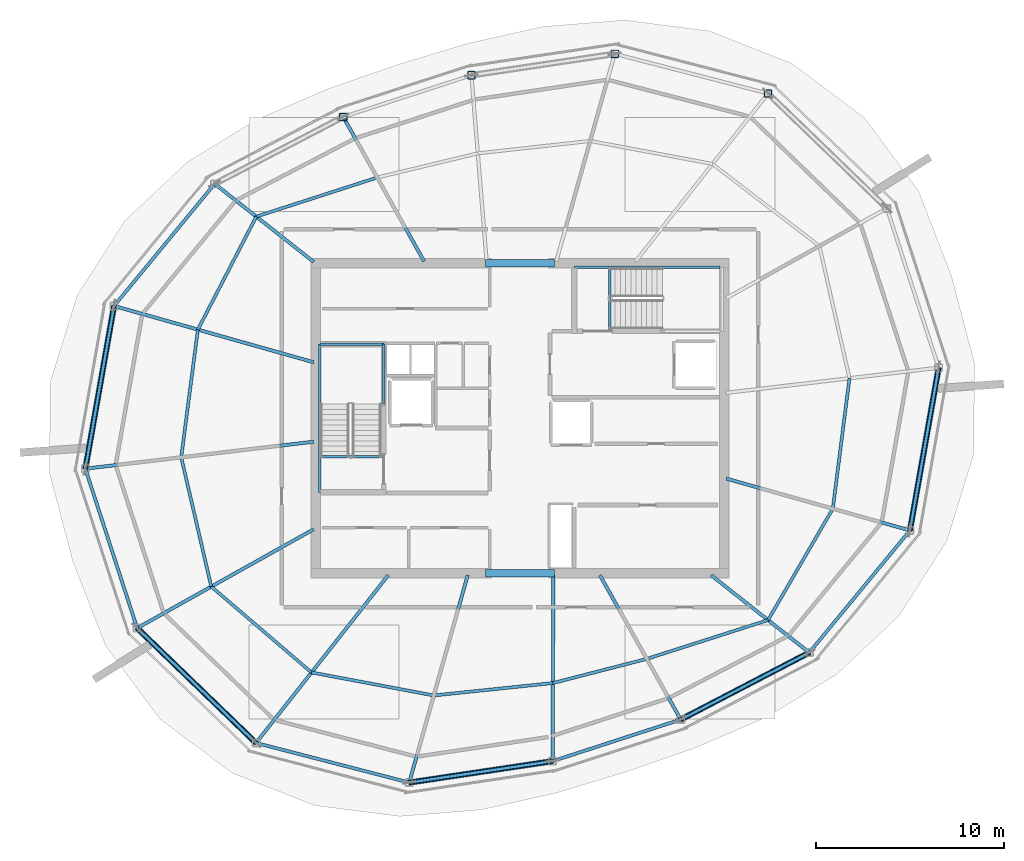
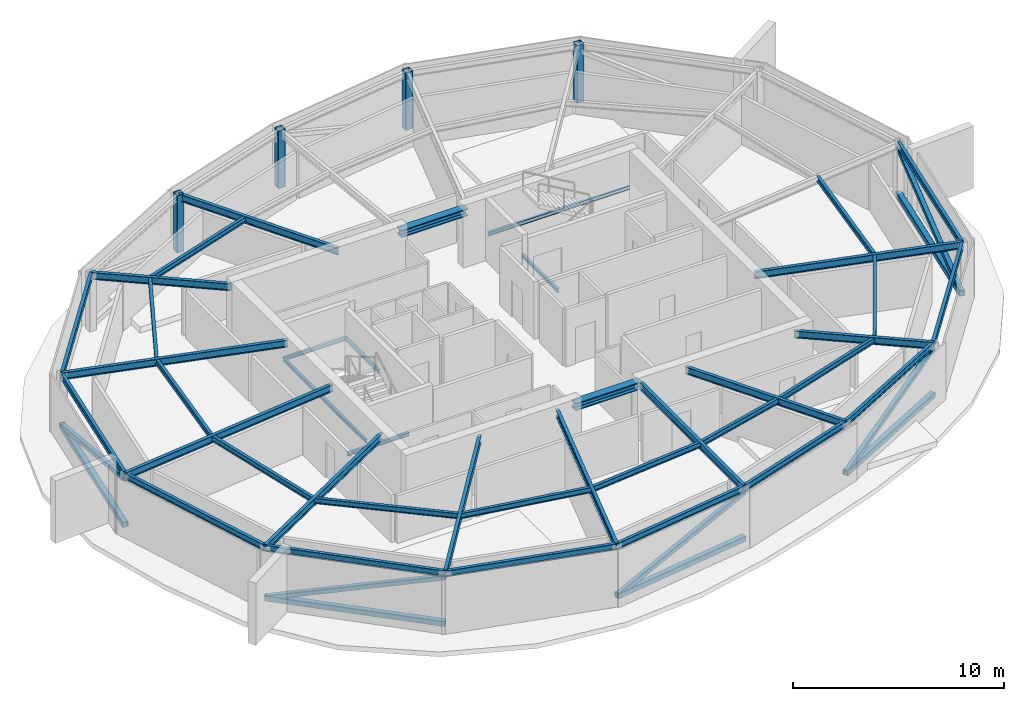
# One storey, part 4 of 10: 40 beams, 10 members, 4 columns.
"""IFC4 building model written with IfcOpenShell, lengths in metres."""

import ifcopenshell
import ifcopenshell.guid

model = None  # the IFC model being written
_history = None  # IfcOwnerHistory: only IFC2X3 demands one
_inside = {}  # id of a spatial element -> (the spatial element, [elements in it])
_under = {}  # id of a project, library or spatial element -> (it, [spatial elements below it])
_declared = {}  # id of a project -> (the project, [libraries it declares])
_typed = {}  # id of a type object -> (the type object, [elements of that type])
_made_of = {}  # id of a material, layer set ... -> (it, [elements and type objects made of it])


def new_model(schema):
    """Start an empty IFC model of exactly this schema.

    Asked for "IFC4X3", IfcOpenShell would pick the latest addendum, in which some entities
    have other attributes; the version numbers below select the first issue.
    IFC2X3 requires an IfcOwnerHistory on every rooted entity: one is made here for all.
    """
    global model, _history
    if schema == "IFC4X3":
        model = ifcopenshell.file(schema_version=(4, 3, 0, 0))
    else:
        model = ifcopenshell.file(schema=schema)
    _inside.clear()
    _under.clear()
    _declared.clear()
    _typed.clear()
    _made_of.clear()
    _history = None
    if model.schema == "IFC2X3":
        org = make("IfcOrganization", Name="unknown")
        user = make(
            "IfcPersonAndOrganization",
            ThePerson=make("IfcPerson", FamilyName="unknown"),
            TheOrganization=org,
        )
        app = make(
            "IfcApplication",
            ApplicationDeveloper=org,
            Version="unknown",
            ApplicationFullName="unknown",
            ApplicationIdentifier="unknown",
        )
        _history = make(
            "IfcOwnerHistory",
            OwningUser=user,
            OwningApplication=app,
            ChangeAction="ADDED",
            CreationDate=0,
        )
    return model


def make(cls, **values):
    """One entity of the class cls with the attributes given. An attribute that is None is left unset."""
    return model.create_entity(
        cls, **{name: value for name, value in values.items() if value is not None}
    )


def rooted(cls, **values):
    """An entity with a GlobalId (a new one), such as an element, a storey or a relation."""
    return make(cls, GlobalId=ifcopenshell.guid.new(), OwnerHistory=_history, **values)


def si_unit(unit_type, name, prefix=None):
    """IfcSIUnit, for example si_unit("LENGTHUNIT", "METRE", prefix="MILLI")."""
    return make("IfcSIUnit", UnitType=unit_type, Prefix=prefix, Name=name)


def assignment(units):
    """IfcUnitAssignment: the units of a project."""
    return None if units is None else make("IfcUnitAssignment", Units=units)


def point(xyz):
    """IfcCartesianPoint."""
    return None if xyz is None else make("IfcCartesianPoint", Coordinates=xyz)


def direction(xyz):
    """IfcDirection."""
    return None if xyz is None else make("IfcDirection", DirectionRatios=xyz)


def frame(location, z_axis=None, x_axis=None):
    """IfcAxis2Placement3D, a coordinate frame: its origin and axes. An axis left out is left unset."""
    return make(
        "IfcAxis2Placement3D",
        Location=point(location),
        Axis=direction(z_axis),
        RefDirection=direction(x_axis),
    )


def frame_2d(location, x_axis=None):
    """IfcAxis2Placement2D, a coordinate frame in the plane: its origin and x axis."""
    return make(
        "IfcAxis2Placement2D", Location=point(location), RefDirection=direction(x_axis)
    )


def origin():
    """The frame at (0, 0, 0) with its axes left unset."""
    return frame((0.0, 0.0, 0.0))


def origin_2d():
    """The frame at (0, 0) in the plane with its x axis left unset."""
    return frame_2d((0.0, 0.0))


def place(relative_to, where):
    """IfcLocalPlacement: puts the frame where relative to a parent placement (None: the world)."""
    return make(
        "IfcLocalPlacement", PlacementRelTo=relative_to, RelativePlacement=where
    )


def context(
    kind, dimensions, precision=None, world=None, true_north=None, identifier=None
):
    """IfcGeometricRepresentationContext, for example the 3D "Model" context."""
    return make(
        "IfcGeometricRepresentationContext",
        ContextIdentifier=identifier,
        ContextType=kind,
        CoordinateSpaceDimension=dimensions,
        Precision=precision,
        WorldCoordinateSystem=world,
        TrueNorth=true_north,
    )


def subcontext(parent, identifier, kind, view, scale=None):
    """IfcGeometricRepresentationSubContext, for example "Body" below "Model"."""
    return make(
        "IfcGeometricRepresentationSubContext",
        ContextIdentifier=identifier,
        ContextType=kind,
        ParentContext=parent,
        TargetScale=scale,
        TargetView=view,
    )


def project(units=None, contexts=None):
    """IfcProject with its units and contexts."""
    return rooted(
        "IfcProject",
        Name="project",
        RepresentationContexts=contexts,
        UnitsInContext=assignment(units),
    )


def spatial(cls, under=None, at=None, **own):
    """A site, building, storey or space (cls), placed at a placement, below another one or the project."""
    s = rooted(cls, ObjectPlacement=at, **own)
    if under is not None:
        _under.setdefault(under.id(), (under, []))[1].append(s)
    return s


def profile(cls, at=None, kind="AREA", **sizes):
    """A parametric profile (cls). Its sizes go by their IFC names, for example OverallWidth=200.0."""
    return make(cls, ProfileType=kind, Position=at, **sizes)


def hollow_rectangle(**sizes):
    """IfcRectangleHollowProfileDef."""
    return profile("IfcRectangleHollowProfileDef", **sizes)


def i_section(**sizes):
    """IfcIShapeProfileDef."""
    return profile("IfcIShapeProfileDef", **sizes)


def extrude(swept, where, along, depth):
    """IfcExtrudedAreaSolid: the profile swept, set in the frame where, extruded along a direction by depth."""
    return make(
        "IfcExtrudedAreaSolid",
        SweptArea=swept,
        Position=where,
        ExtrudedDirection=direction(along),
        Depth=depth,
    )


def shape(context_of_items, identifier, shape_type, items):
    """IfcShapeRepresentation: the items that make up one representation, for example the "Body"."""
    return make(
        "IfcShapeRepresentation",
        ContextOfItems=context_of_items,
        RepresentationIdentifier=identifier,
        RepresentationType=shape_type,
        Items=items,
    )


def material(Name=None, Category=None):
    """IfcMaterial."""
    return make("IfcMaterial", Name=Name, Category=Category)


def material_profile(
    of_material, cross_section, Name=None, Category=None, Priority=None
):
    """IfcMaterialProfile: a cross section and its material."""
    return make(
        "IfcMaterialProfile",
        Name=Name,
        Material=of_material,
        Profile=cross_section,
        Priority=Priority,
        Category=Category,
    )


def profile_set(profiles, Name=None, composite=None):
    """IfcMaterialProfileSet."""
    return make(
        "IfcMaterialProfileSet",
        Name=Name,
        MaterialProfiles=profiles,
        CompositeProfile=composite,
    )


def made_of(thing, what):
    """Note that an element or type object is made of a material, layer set ...; save() writes the relation."""
    if what is not None:
        _made_of.setdefault(what.id(), (what, []))[1].append(thing)
    return thing


def type_object(cls, material=None, **own):
    """A type object (cls), such as IfcWallType, which elements share."""
    return made_of(rooted(cls, **own), material)


def element(
    cls,
    number,
    at=None,
    inside=None,
    cuts=None,
    type_object=None,
    material=None,
    context=None,
    identifier="Body",
    shape_type=None,
    held_by="IfcProductDefinitionShape",
    body=None,
    shapes=None,
    **own,
):
    """One element of the class cls, such as IfcWall. Its Tag is "e" and its number.

    at: its placement. inside: the storey or other place that contains it. cuts: it is an
    opening in that element (IfcRelVoidsElement). A single representation is given by context,
    identifier, shape_type and body (its items); several are given by shapes. held_by: the class
    of the entity that holds the representations. save() writes the other relations.
    """
    e = rooted(cls, Tag="e%d" % number, ObjectPlacement=at, **own)
    if body is not None:
        shapes = [shape(context, identifier, shape_type, body)]
    if shapes is not None:
        e.Representation = make(held_by, Representations=shapes)
    if inside is not None:
        _inside.setdefault(inside.id(), (inside, []))[1].append(e)
    if cuts is not None:
        rooted(
            "IfcRelVoidsElement", RelatingBuildingElement=cuts, RelatedOpeningElement=e
        )
    if type_object is not None:
        _typed.setdefault(type_object.id(), (type_object, []))[1].append(e)
    return made_of(e, material)


def aggregate(whole, parts):
    """IfcRelAggregates: a whole, such as a stair, and the parts it consists of."""
    return rooted("IfcRelAggregates", RelatingObject=whole, RelatedObjects=parts)


def save(model, path):
    """Write the relations noted so far, then the file.

    IfcRelAggregates (storeys below a building ...), IfcRelContainedInSpatialStructure (elements
    in a storey), IfcRelDefinesByType, IfcRelAssociatesMaterial and IfcRelDeclares: one each for
    every whole, place, type object, material and project.
    """
    for whole, parts in _under.values():
        aggregate(whole, parts)
    for where, things in _inside.values():
        rooted(
            "IfcRelContainedInSpatialStructure",
            RelatedElements=things,
            RelatingStructure=where,
        )
    for kind, things in _typed.values():
        rooted("IfcRelDefinesByType", RelatedObjects=things, RelatingType=kind)
    for what, things in _made_of.values():
        rooted("IfcRelAssociatesMaterial", RelatedObjects=things, RelatingMaterial=what)
    for by, libraries in _declared.values():
        rooted("IfcRelDeclares", RelatingContext=by, RelatedDefinitions=libraries)
    model.write(path)


model = new_model("IFC4")

# Units and contexts
model_context = context("Model", 3, precision=1e-05, world=origin(), true_north=direction((0.0, 1.0)))
body_context = subcontext(model_context, "Body", "Model", "MODEL_VIEW")
ifc_project = project(units=[si_unit("LENGTHUNIT", "METRE"), si_unit("AREAUNIT", "SQUARE_METRE"), si_unit("VOLUMEUNIT", "CUBIC_METRE"), si_unit("PLANEANGLEUNIT", "RADIAN"), si_unit("MASSUNIT", "GRAM", prefix="KILO")], contexts=[model_context])

# Site, building, storey
site_placement = place(None, origin())
site = spatial("IfcSite", under=ifc_project, at=site_placement, CompositionType="ELEMENT")
building_placement = place(site_placement, origin())
building = spatial("IfcBuilding", under=site, at=building_placement, Name="Kazma Halo Residences", CompositionType="ELEMENT")
storey_placement = place(building_placement, frame((0.0, 0.0, 370.39990234375)))
storey = spatial("IfcBuildingStorey", under=building, at=storey_placement, Name="L93", CompositionType="ELEMENT", Elevation=370.39990234375)

# Columns
ifc_material = material(Name="Steel S355", Category="steel")
ifc_material_profile_1 = material_profile(ifc_material, hollow_rectangle(XDim=0.39990234375, YDim=0.39990234375, WallThickness=0.02001953125, InnerFilletRadius=0.02001953125, OuterFilletRadius=0.0400390625, at=origin_2d()), Name="SHS400x400x20")
ifc_profile_set_1 = profile_set([ifc_material_profile_1], Name="Steel S355")
column_type = type_object("IfcColumnType", Name="COL-CROWN-SHS400", PredefinedType="COLUMN", material=ifc_profile_set_1)
for number, where, z_axis, x_axis, name in (
    (1, (61.617431640625, 59.273681640625, 0.0), (0.0, 0.0, 1.0), (1.0, 0.0, 0.0), "L93 CROWN FRAME perimeter column P02"),
    (2, (53.46630859375, 61.38232421875, 0.0), (0.0, 0.0, 1.0), (1.0, 0.0, 0.0), "L93 CROWN FRAME perimeter column P03"),
    (3, (45.8408203125, 60.24365234375, 0.0), (0.0, 0.0, 1.0), (1.0, 0.0, 0.0), "L93 CROWN FRAME perimeter column P04"),
    (4, (39.0234375, 58.02880859375, 0.0), (0.0, 0.0, 1.0), (1.0, 0.0, 0.0), "L93 CROWN FRAME perimeter column P05"),
):
    element("IfcColumn", number, at=place(storey_placement, frame(where, z_axis=z_axis, x_axis=x_axis)), inside=storey, type_object=column_type, Name=name, PredefinedType="COLUMN", context=body_context, shape_type="SweptSolid", body=[
        extrude(hollow_rectangle(XDim=0.39990234375, YDim=0.39990234375, WallThickness=0.02001953125, InnerFilletRadius=0.02001953125, OuterFilletRadius=0.0400390625, at=origin_2d()), origin(), (0.0, 0.0, 1.0), 3.320068359375),
    ])

# Beams
ifc_material_profile_2 = material_profile(ifc_material, i_section(OverallWidth=0.408935546875, OverallDepth=0.425048828125, WebThickness=0.03271484375, FlangeThickness=0.052490234375, FilletRadius=0.02001953125, at=origin_2d()), Name="W360x421")
ifc_profile_set_2 = profile_set([ifc_material_profile_2], Name="Steel S355")
beam_type_1 = type_object("IfcBeamType", Name="BM-CORE-W360H", PredefinedType="BEAM", material=ifc_profile_set_2)
for number, where, z_axis, x_axis, name in (
    (5, (46.60009765625, 33.75, 3.107666015625), (1.0, 0.0, 0.0), (0.0, 1.0, 0.0), "L93 core coupling beam S"),
    (6, (46.60009765625, 50.25, 3.107666015625), (1.0, 0.0, 0.0), (0.0, 1.0, 0.0), "L93 core coupling beam N"),
):
    element("IfcBeam", number, at=place(storey_placement, frame(where, z_axis=z_axis, x_axis=x_axis)), inside=storey, type_object=beam_type_1, Name=name, PredefinedType="BEAM", context=body_context, shape_type="SweptSolid", body=[
        extrude(i_section(OverallWidth=0.408935546875, OverallDepth=0.425048828125, WebThickness=0.03271484375, FlangeThickness=0.052490234375, FilletRadius=0.02001953125, at=origin_2d()), origin(), (0.0, 0.0, 1.0), 3.64990234375),
    ])
ifc_material_profile_3 = material_profile(ifc_material, i_section(OverallWidth=0.177978515625, OverallDepth=0.406982421875, WebThickness=0.0078125, FlangeThickness=0.0126953125, FilletRadius=0.013916015625, at=origin_2d()), Name="W410x60")
ifc_profile_set_3 = profile_set([ifc_material_profile_3], Name="Steel S355")
beam_type_2 = type_object("IfcBeamType", Name="BM-RAD-W410", PredefinedType="BEAM", material=ifc_profile_set_3)
beam_1_placement = place(storey_placement, frame((43.32373046875, 50.35009765625, 3.11669921875), z_axis=(-0.488621952621, 0.872495608824, 0.0), x_axis=(-0.872495608824, -0.488621952621, 0.0)))
element("IfcBeam", 7, at=beam_1_placement, inside=storey, type_object=beam_type_2, Name="L93 radial floor beam 05", PredefinedType="BEAM", context=body_context, shape_type="SweptSolid", body=[
    extrude(i_section(OverallWidth=0.177978515625, OverallDepth=0.406982421875, WebThickness=0.0078125, FlangeThickness=0.0126953125, FilletRadius=0.013916015625, at=origin_2d()), origin(), (0.0, 0.0, 1.0), 8.80078125),
])
beam_2_placement = place(storey_placement, frame((37.449951171875, 50.31689453125, 3.11669921875), z_axis=(-0.785321596803, 0.619088030569, 0.0), x_axis=(-0.619088030569, -0.785321596803, 0.0)))
element("IfcBeam", 8, at=beam_2_placement, inside=storey, type_object=beam_type_2, Name="L93 radial floor beam 06", PredefinedType="BEAM", context=body_context, shape_type="SweptSolid", body=[
    extrude(i_section(OverallWidth=0.177978515625, OverallDepth=0.406982421875, WebThickness=0.0078125, FlangeThickness=0.0126953125, FilletRadius=0.013916015625, at=origin_2d()), origin(), (0.0, 0.0, 1.0), 6.704345703125),
])
beam_3_placement = place(storey_placement, frame((37.449951171875, 44.975341796875, 3.11669921875), z_axis=(-0.962455160106, 0.271440720572, 0.0), x_axis=(-0.271440720572, -0.962455160106, 0.0)))
element("IfcBeam", 9, at=beam_3_placement, inside=storey, type_object=beam_type_2, Name="L93 radial floor beam 07", PredefinedType="BEAM", context=body_context, shape_type="SweptSolid", body=[
    extrude(i_section(OverallWidth=0.177978515625, OverallDepth=0.406982421875, WebThickness=0.0078125, FlangeThickness=0.0126953125, FilletRadius=0.013916015625, at=origin_2d()), origin(), (0.0, 0.0, 1.0), 11.0341796875),
])
beam_4_placement = place(storey_placement, frame((37.449951171875, 40.751220703125, 3.11669921875), z_axis=(-0.993069432883, -0.117529151591, 0.0), x_axis=(0.117529151591, -0.993069432883, 0.0)))
element("IfcBeam", 10, at=beam_4_placement, inside=storey, type_object=beam_type_2, Name="L93 radial floor beam 08", PredefinedType="BEAM", context=body_context, shape_type="SweptSolid", body=[
    extrude(i_section(OverallWidth=0.177978515625, OverallDepth=0.406982421875, WebThickness=0.0078125, FlangeThickness=0.0126953125, FilletRadius=0.013916015625, at=origin_2d()), origin(), (0.0, 0.0, 1.0), 12.23095703125),
])
beam_5_placement = place(storey_placement, frame((37.449951171875, 36.091796875, 3.11669921875), z_axis=(-0.872494798344, -0.488623399832, 0.0), x_axis=(0.488623399832, -0.872494798344, 0.0)))
element("IfcBeam", 11, at=beam_5_placement, inside=storey, type_object=beam_type_2, Name="L93 radial floor beam 09", PredefinedType="BEAM", context=body_context, shape_type="SweptSolid", body=[
    extrude(i_section(OverallWidth=0.177978515625, OverallDepth=0.406982421875, WebThickness=0.0078125, FlangeThickness=0.0126953125, FilletRadius=0.013916015625, at=origin_2d()), origin(), (0.0, 0.0, 1.0), 10.762939453125),
])
beam_6_placement = place(storey_placement, frame((41.41748046875, 33.64990234375, 3.11669921875), z_axis=(-0.619100773028, -0.785311551447, 0.0), x_axis=(0.785311551447, -0.619100773028, 0.0)))
element("IfcBeam", 12, at=beam_6_placement, inside=storey, type_object=beam_type_2, Name="L93 radial floor beam 10", PredefinedType="BEAM", context=body_context, shape_type="SweptSolid", body=[
    extrude(i_section(OverallWidth=0.177978515625, OverallDepth=0.406982421875, WebThickness=0.0078125, FlangeThickness=0.0126953125, FilletRadius=0.013916015625, at=origin_2d()), origin(), (0.0, 0.0, 1.0), 11.363037109375),
])
beam_7_placement = place(storey_placement, frame((45.64501953125, 33.64990234375, 3.11669921875), z_axis=(-0.271433859027, -0.962457095238, 0.0), x_axis=(0.962457095238, -0.271433859027, 0.0)))
element("IfcBeam", 13, at=beam_7_placement, inside=storey, type_object=beam_type_2, Name="L93 radial floor beam 11", PredefinedType="BEAM", context=body_context, shape_type="SweptSolid", body=[
    extrude(i_section(OverallWidth=0.177978515625, OverallDepth=0.406982421875, WebThickness=0.0078125, FlangeThickness=0.0126953125, FilletRadius=0.013916015625, at=origin_2d()), origin(), (0.0, 0.0, 1.0), 11.462646484375),
])
beam_8_placement = place(storey_placement, frame((50.199951171875, 33.64990234375, 3.11669921875), z_axis=(-0.004120979715, -0.999991508727, 0.0), x_axis=(0.999991508727, -0.004120979715, 0.0)))
element("IfcBeam", 14, at=beam_8_placement, inside=storey, type_object=beam_type_2, Name="L93 radial floor beam 12", PredefinedType="BEAM", context=body_context, shape_type="SweptSolid", body=[
    extrude(i_section(OverallWidth=0.177978515625, OverallDepth=0.406982421875, WebThickness=0.0078125, FlangeThickness=0.0126953125, FilletRadius=0.013916015625, at=origin_2d()), origin(), (0.0, 0.0, 1.0), 9.8935546875),
])
beam_9_placement = place(storey_placement, frame((52.67626953125, 33.64990234375, 3.11669921875), z_axis=(0.488621952621, -0.872495608824, 0.0), x_axis=(0.872495608824, 0.488621952621, 0.0)))
element("IfcBeam", 15, at=beam_9_placement, inside=storey, type_object=beam_type_2, Name="L93 radial floor beam 13", PredefinedType="BEAM", context=body_context, shape_type="SweptSolid", body=[
    extrude(i_section(OverallWidth=0.177978515625, OverallDepth=0.406982421875, WebThickness=0.0078125, FlangeThickness=0.0126953125, FilletRadius=0.013916015625, at=origin_2d()), origin(), (0.0, 0.0, 1.0), 8.80078125),
])
beam_10_placement = place(storey_placement, frame((58.591796875, 33.64990234375, 3.11669921875), z_axis=(0.785342950436, -0.619060942234, 0.0), x_axis=(0.619060942234, 0.785342950436, 0.0)))
element("IfcBeam", 16, at=beam_10_placement, inside=storey, type_object=beam_type_2, Name="L93 radial floor beam 14", PredefinedType="BEAM", context=body_context, shape_type="SweptSolid", body=[
    extrude(i_section(OverallWidth=0.177978515625, OverallDepth=0.406982421875, WebThickness=0.0078125, FlangeThickness=0.0126953125, FilletRadius=0.013916015625, at=origin_2d()), origin(), (0.0, 0.0, 1.0), 6.651123046875),
])
beam_11_placement = place(storey_placement, frame((59.39990234375, 38.784912109375, 3.11669921875), z_axis=(0.962456764872, -0.271435030445, 0.0), x_axis=(0.271435030445, 0.962456764872, 0.0)))
element("IfcBeam", 17, at=beam_11_placement, inside=storey, type_object=beam_type_2, Name="L93 radial floor beam 15", PredefinedType="BEAM", context=body_context, shape_type="SweptSolid", body=[
    extrude(i_section(OverallWidth=0.177978515625, OverallDepth=0.406982421875, WebThickness=0.0078125, FlangeThickness=0.0126953125, FilletRadius=0.013916015625, at=origin_2d()), origin(), (0.0, 0.0, 1.0), 10.151123046875),
])
ifc_material_profile_4 = material_profile(ifc_material, i_section(OverallWidth=0.1650390625, OverallDepth=0.31005859375, WebThickness=0.005859375, FlangeThickness=0.009765625, FilletRadius=0.011962890625, at=origin_2d()), Name="W310x38.7")
ifc_profile_set_4 = profile_set([ifc_material_profile_4], Name="Steel S355")
beam_type_3 = type_object("IfcBeamType", Name="BM-SEC-W310B", PredefinedType="JOIST", material=ifc_profile_set_4)
beam_12_placement = place(storey_placement, frame((40.82958984375, 54.8037109375, 3.1650390625), z_axis=(-0.951532506418, -0.307548190094, 0.0), x_axis=(0.307548190094, -0.951532506418, 0.0)))
element("IfcBeam", 18, at=beam_12_placement, inside=storey, type_object=beam_type_3, Name="L93 circumferential floor joist 05", PredefinedType="JOIST", context=body_context, shape_type="SweptSolid", body=[
    extrude(i_section(OverallWidth=0.1650390625, OverallDepth=0.31005859375, WebThickness=0.005859375, FlangeThickness=0.009765625, FilletRadius=0.011962890625, at=origin_2d()), origin(), (0.0, 0.0, 1.0), 6.760986328125),
])
beam_13_placement = place(storey_placement, frame((34.396240234375, 52.724365234375, 3.1650390625), z_axis=(-0.458980181698, -0.888446505316, 0.0), x_axis=(0.888446505316, -0.458980181698, 0.0)))
element("IfcBeam", 19, at=beam_13_placement, inside=storey, type_object=beam_type_3, Name="L93 circumferential floor joist 06", PredefinedType="JOIST", context=body_context, shape_type="SweptSolid", body=[
    extrude(i_section(OverallWidth=0.1650390625, OverallDepth=0.31005859375, WebThickness=0.005859375, FlangeThickness=0.009765625, FilletRadius=0.011962890625, at=origin_2d()), origin(), (0.0, 0.0, 1.0), 6.7666015625),
])
beam_14_placement = place(storey_placement, frame((31.29052734375, 46.712646484375, 3.1650390625), z_axis=(-0.129220381174, -0.991615899978, 0.0), x_axis=(0.991615899978, -0.129220381174, 0.0)))
element("IfcBeam", 20, at=beam_14_placement, inside=storey, type_object=beam_type_3, Name="L93 circumferential floor joist 07", PredefinedType="JOIST", context=body_context, shape_type="SweptSolid", body=[
    extrude(i_section(OverallWidth=0.1650390625, OverallDepth=0.31005859375, WebThickness=0.005859375, FlangeThickness=0.009765625, FilletRadius=0.011962890625, at=origin_2d()), origin(), (0.0, 0.0, 1.0), 6.8525390625),
])
beam_15_placement = place(storey_placement, frame((30.405029296875, 39.91748046875, 3.1650390625), z_axis=(0.22642269465, -0.97402913886, 0.0), x_axis=(0.97402913886, 0.22642269465, 0.0)))
element("IfcBeam", 21, at=beam_15_placement, inside=storey, type_object=beam_type_3, Name="L93 circumferential floor joist 08", PredefinedType="JOIST", context=body_context, shape_type="SweptSolid", body=[
    extrude(i_section(OverallWidth=0.1650390625, OverallDepth=0.31005859375, WebThickness=0.005859375, FlangeThickness=0.009765625, FilletRadius=0.011962890625, at=origin_2d()), origin(), (0.0, 0.0, 1.0), 7.059326171875),
])
beam_16_placement = place(storey_placement, frame((32.00341796875, 33.04150390625, 3.1650390625), z_axis=(0.759582919789, -0.650410476518, 0.0), x_axis=(0.650410476518, 0.759582919789, 0.0)))
element("IfcBeam", 22, at=beam_16_placement, inside=storey, type_object=beam_type_3, Name="L93 circumferential floor joist 09", PredefinedType="JOIST", context=body_context, shape_type="SweptSolid", body=[
    extrude(i_section(OverallWidth=0.1650390625, OverallDepth=0.31005859375, WebThickness=0.005859375, FlangeThickness=0.009765625, FilletRadius=0.011962890625, at=origin_2d()), origin(), (0.0, 0.0, 1.0), 7.02197265625),
])
beam_17_placement = place(storey_placement, frame((37.337158203125, 28.474365234375, 3.1650390625), z_axis=(0.982768028721, -0.184843181435, 0.0), x_axis=(0.184843181435, 0.982768028721, 0.0)))
element("IfcBeam", 23, at=beam_17_placement, inside=storey, type_object=beam_type_3, Name="L93 circumferential floor joist 10", PredefinedType="JOIST", context=body_context, shape_type="SweptSolid", body=[
    extrude(i_section(OverallWidth=0.1650390625, OverallDepth=0.31005859375, WebThickness=0.005859375, FlangeThickness=0.009765625, FilletRadius=0.011962890625, at=origin_2d()), origin(), (0.0, 0.0, 1.0), 6.6171875),
])
beam_18_placement = place(storey_placement, frame((43.84033203125, 27.251220703125, 3.1650390625), z_axis=(0.994612236518, 0.10366532192, 0.0), x_axis=(-0.10366532192, 0.994612236518, 0.0)))
element("IfcBeam", 24, at=beam_18_placement, inside=storey, type_object=beam_type_3, Name="L93 circumferential floor joist 11", PredefinedType="JOIST", context=body_context, shape_type="SweptSolid", body=[
    extrude(i_section(OverallWidth=0.1650390625, OverallDepth=0.31005859375, WebThickness=0.005859375, FlangeThickness=0.009765625, FilletRadius=0.011962890625, at=origin_2d()), origin(), (0.0, 0.0, 1.0), 6.37060546875),
])
beam_19_placement = place(storey_placement, frame((50.176513671875, 27.91162109375, 3.1650390625), z_axis=(0.96846845721, 0.249136202485, 0.0), x_axis=(-0.249136202485, 0.96846845721, 0.0)))
element("IfcBeam", 25, at=beam_19_placement, inside=storey, type_object=beam_type_3, Name="L93 circumferential floor joist 12", PredefinedType="JOIST", context=body_context, shape_type="SweptSolid", body=[
    extrude(i_section(OverallWidth=0.1650390625, OverallDepth=0.31005859375, WebThickness=0.005859375, FlangeThickness=0.009765625, FilletRadius=0.011962890625, at=origin_2d()), origin(), (0.0, 0.0, 1.0), 5.156494140625),
])
beam_20_placement = place(storey_placement, frame((55.17041015625, 29.1962890625, 3.1650390625), z_axis=(0.952375588957, 0.304927429988, 0.0), x_axis=(-0.304927429988, 0.952375588957, 0.0)))
element("IfcBeam", 26, at=beam_20_placement, inside=storey, type_object=beam_type_3, Name="L93 circumferential floor joist 13", PredefinedType="JOIST", context=body_context, shape_type="SweptSolid", body=[
    extrude(i_section(OverallWidth=0.1650390625, OverallDepth=0.31005859375, WebThickness=0.005859375, FlangeThickness=0.009765625, FilletRadius=0.011962890625, at=origin_2d()), origin(), (0.0, 0.0, 1.0), 6.7734375),
])
beam_21_placement = place(storey_placement, frame((61.621337890625, 31.26171875, 3.1650390625), z_axis=(0.502650174973, 0.864489908327, 0.0), x_axis=(-0.864489908327, 0.502650174973, 0.0)))
element("IfcBeam", 27, at=beam_21_placement, inside=storey, type_object=beam_type_3, Name="L93 circumferential floor joist 14", PredefinedType="JOIST", context=body_context, shape_type="SweptSolid", body=[
    extrude(i_section(OverallWidth=0.1650390625, OverallDepth=0.31005859375, WebThickness=0.005859375, FlangeThickness=0.009765625, FilletRadius=0.011962890625, at=origin_2d()), origin(), (0.0, 0.0, 1.0), 6.853759765625),
])
beam_22_placement = place(storey_placement, frame((65.06640625, 37.186767578125, 3.1650390625), z_axis=(0.126603386769, 0.991953417484, 0.0), x_axis=(-0.991953417484, 0.126603386769, 0.0)))
element("IfcBeam", 28, at=beam_22_placement, inside=storey, type_object=beam_type_3, Name="L93 circumferential floor joist 15", PredefinedType="JOIST", context=body_context, shape_type="SweptSolid", body=[
    extrude(i_section(OverallWidth=0.1650390625, OverallDepth=0.31005859375, WebThickness=0.005859375, FlangeThickness=0.009765625, FilletRadius=0.011962890625, at=origin_2d()), origin(), (0.0, 0.0, 1.0), 6.994384765625),
])
ifc_material_profile_5 = material_profile(ifc_material, i_section(OverallWidth=0.1708984375, OverallDepth=0.35498046875, WebThickness=0.007080078125, FlangeThickness=0.01171875, FilletRadius=0.013916015625, at=origin_2d()), Name="W360x51")
ifc_profile_set_5 = profile_set([ifc_material_profile_5], Name="Steel S355")
beam_type_4 = type_object("IfcBeamType", Name="BM-SPN-W360", PredefinedType="BEAM", material=ifc_profile_set_5)
beam_23_placement = place(storey_placement, frame((32.184814453125, 54.467529296875, 3.142578125), z_axis=(-0.636005014199, -0.77168492399, 0.0), x_axis=(0.77168492399, -0.636005014199, 0.0)))
element("IfcBeam", 29, at=beam_23_placement, inside=storey, type_object=beam_type_4, Name="L93 CROWN FRAME ring beam 06", PredefinedType="BEAM", context=body_context, shape_type="SweptSolid", body=[
    extrude(i_section(OverallWidth=0.1708984375, OverallDepth=0.35498046875, WebThickness=0.007080078125, FlangeThickness=0.01171875, FilletRadius=0.013916015625, at=origin_2d()), origin(), (0.0, 0.0, 1.0), 8.41943359375),
])
beam_24_placement = place(storey_placement, frame((26.830078125, 47.970458984375, 3.142578125), z_axis=(-0.173642734291, -0.984808712811, 0.0), x_axis=(0.984808712811, -0.173642734291, 0.0)))
element("IfcBeam", 30, at=beam_24_placement, inside=storey, type_object=beam_type_4, Name="L93 CROWN FRAME ring beam 07", PredefinedType="BEAM", context=body_context, shape_type="SweptSolid", body=[
    extrude(i_section(OverallWidth=0.1708984375, OverallDepth=0.35498046875, WebThickness=0.007080078125, FlangeThickness=0.01171875, FilletRadius=0.013916015625, at=origin_2d()), origin(), (0.0, 0.0, 1.0), 8.790283203125),
])
beam_25_placement = place(storey_placement, frame((25.3037109375, 39.313720703125, 3.142578125), z_axis=(0.309015498459, -0.951057002346, 0.0), x_axis=(0.951057002346, 0.309015498459, 0.0)))
element("IfcBeam", 31, at=beam_25_placement, inside=storey, type_object=beam_type_4, Name="L93 CROWN FRAME ring beam 08", PredefinedType="BEAM", context=body_context, shape_type="SweptSolid", body=[
    extrude(i_section(OverallWidth=0.1708984375, OverallDepth=0.35498046875, WebThickness=0.007080078125, FlangeThickness=0.01171875, FilletRadius=0.013916015625, at=origin_2d()), origin(), (0.0, 0.0, 1.0), 8.91748046875),
])
beam_26_placement = place(storey_placement, frame((28.059326171875, 30.832763671875, 3.142578125), z_axis=(0.719330630477, -0.694667866003, 0.0), x_axis=(0.694667866003, 0.719330630477, 0.0)))
element("IfcBeam", 32, at=beam_26_placement, inside=storey, type_object=beam_type_4, Name="L93 CROWN FRAME ring beam 09", PredefinedType="BEAM", context=body_context, shape_type="SweptSolid", body=[
    extrude(i_section(OverallWidth=0.1708984375, OverallDepth=0.35498046875, WebThickness=0.007080078125, FlangeThickness=0.01171875, FilletRadius=0.013916015625, at=origin_2d()), origin(), (0.0, 0.0, 1.0), 8.79052734375),
])
beam_27_placement = place(storey_placement, frame((34.382568359375, 24.726318359375, 3.142578125), z_axis=(0.968129821283, -0.250448895271, 0.0), x_axis=(0.250448895271, 0.968129821283, 0.0)))
element("IfcBeam", 33, at=beam_27_placement, inside=storey, type_object=beam_type_4, Name="L93 CROWN FRAME ring beam 10", PredefinedType="BEAM", context=body_context, shape_type="SweptSolid", body=[
    extrude(i_section(OverallWidth=0.1708984375, OverallDepth=0.35498046875, WebThickness=0.007080078125, FlangeThickness=0.01171875, FilletRadius=0.013916015625, at=origin_2d()), origin(), (0.0, 0.0, 1.0), 8.41943359375),
])
beam_28_placement = place(storey_placement, frame((42.53369140625, 22.61767578125, 3.142578125), z_axis=(0.989034152337, 0.147686984904, 0.0), x_axis=(-0.147686984904, 0.989034152337, 0.0)))
element("IfcBeam", 34, at=beam_28_placement, inside=storey, type_object=beam_type_4, Name="L93 CROWN FRAME ring beam 11", PredefinedType="BEAM", context=body_context, shape_type="SweptSolid", body=[
    extrude(i_section(OverallWidth=0.1708984375, OverallDepth=0.35498046875, WebThickness=0.007080078125, FlangeThickness=0.01171875, FilletRadius=0.013916015625, at=origin_2d()), origin(), (0.0, 0.0, 1.0), 7.7099609375),
])
beam_29_placement = place(storey_placement, frame((50.1591796875, 23.75634765625, 3.142578125), z_axis=(0.951067102, 0.308984413026, 0.0), x_axis=(-0.308984413026, 0.951067102, 0.0)))
element("IfcBeam", 35, at=beam_29_placement, inside=storey, type_object=beam_type_4, Name="L93 CROWN FRAME ring beam 12", PredefinedType="BEAM", context=body_context, shape_type="SweptSolid", body=[
    extrude(i_section(OverallWidth=0.1708984375, OverallDepth=0.35498046875, WebThickness=0.007080078125, FlangeThickness=0.01171875, FilletRadius=0.013916015625, at=origin_2d()), origin(), (0.0, 0.0, 1.0), 7.168212890625),
])
beam_30_placement = place(storey_placement, frame((56.9765625, 25.97119140625, 3.142578125), z_axis=(0.886940838721, 0.461883046461, 0.0), x_axis=(-0.461883046461, 0.886940838721, 0.0)))
element("IfcBeam", 36, at=beam_30_placement, inside=storey, type_object=beam_type_4, Name="L93 CROWN FRAME ring beam 13", PredefinedType="BEAM", context=body_context, shape_type="SweptSolid", body=[
    extrude(i_section(OverallWidth=0.1708984375, OverallDepth=0.35498046875, WebThickness=0.007080078125, FlangeThickness=0.01171875, FilletRadius=0.013916015625, at=origin_2d()), origin(), (0.0, 0.0, 1.0), 7.71044921875),
])
beam_31_placement = place(storey_placement, frame((63.815185546875, 29.532470703125, 3.142578125), z_axis=(0.636005014199, 0.77168492399, 0.0), x_axis=(-0.77168492399, 0.636005014199, 0.0)))
element("IfcBeam", 37, at=beam_31_placement, inside=storey, type_object=beam_type_4, Name="L93 CROWN FRAME ring beam 14", PredefinedType="BEAM", context=body_context, shape_type="SweptSolid", body=[
    extrude(i_section(OverallWidth=0.1708984375, OverallDepth=0.35498046875, WebThickness=0.007080078125, FlangeThickness=0.01171875, FilletRadius=0.013916015625, at=origin_2d()), origin(), (0.0, 0.0, 1.0), 8.41943359375),
])
beam_32_placement = place(storey_placement, frame((69.169921875, 36.029541015625, 3.142578125), z_axis=(0.173642734291, 0.984808712811, 0.0), x_axis=(-0.984808712811, 0.173642734291, 0.0)))
element("IfcBeam", 38, at=beam_32_placement, inside=storey, type_object=beam_type_4, Name="L93 CROWN FRAME ring beam 15", PredefinedType="BEAM", context=body_context, shape_type="SweptSolid", body=[
    extrude(i_section(OverallWidth=0.1708984375, OverallDepth=0.35498046875, WebThickness=0.007080078125, FlangeThickness=0.01171875, FilletRadius=0.013916015625, at=origin_2d()), origin(), (0.0, 0.0, 1.0), 8.790283203125),
])
ifc_material_profile_6 = material_profile(ifc_material, i_section(OverallWidth=0.133056640625, OverallDepth=0.20703125, WebThickness=0.005859375, FlangeThickness=0.00830078125, FilletRadius=0.010009765625, at=origin_2d()), Name="W200x26.6")
ifc_profile_set_6 = profile_set([ifc_material_profile_6], Name="Steel S355")
beam_type_5 = type_object("IfcBeamType", Name="BM-TRIM-W200", PredefinedType="BEAM", material=ifc_profile_set_6)
for number, where, z_axis, x_axis, name in (
    (39, (37.800048828125, 39.949951171875, -0.389892578125), (1.0, 0.0, 0.0), (0.0, 1.0, 0.0), "L93 ST-01 floor landing support beam"),
    (40, (53.199951171875, 46.6201171875, -0.389892578125), (0.0, 1.0, 0.0), (-1.0, 0.0, 0.0), "L93 ST-02 floor landing support beam"),
):
    element("IfcBeam", number, at=place(storey_placement, frame(where, z_axis=z_axis, x_axis=x_axis)), inside=storey, type_object=beam_type_5, Name=name, PredefinedType="BEAM", context=body_context, shape_type="SweptSolid", body=[
        extrude(i_section(OverallWidth=0.133056640625, OverallDepth=0.20703125, WebThickness=0.005859375, FlangeThickness=0.00830078125, FilletRadius=0.010009765625, at=origin_2d()), origin(), (0.0, 0.0, 1.0), 3.3798828125),
    ])
beam_33_placement = place(storey_placement, frame((37.780029296875, 38.06005859375, 1.4951171875), z_axis=(0.0, 1.0, 0.0), x_axis=(-1.0, 0.0, 0.0)))
element("IfcBeam", 41, at=beam_33_placement, inside=storey, type_object=beam_type_5, Name="L93 ST-01 landing west wall ledger", PredefinedType="BEAM", context=body_context, shape_type="SweptSolid", body=[
    extrude(i_section(OverallWidth=0.133056640625, OverallDepth=0.20703125, WebThickness=0.005859375, FlangeThickness=0.00830078125, FilletRadius=0.010009765625, at=origin_2d()), origin(), (0.0, 0.0, 1.0), 7.8798828125),
])
beam_34_placement = place(storey_placement, frame((41.179931640625, 42.75, 1.4951171875), z_axis=(0.0, 1.0, 0.0), x_axis=(-1.0, 0.0, 0.0)))
element("IfcBeam", 42, at=beam_34_placement, inside=storey, type_object=beam_type_5, Name="L93 ST-01 landing east wall ledger", PredefinedType="BEAM", context=body_context, shape_type="SweptSolid", body=[
    extrude(i_section(OverallWidth=0.133056640625, OverallDepth=0.20703125, WebThickness=0.005859375, FlangeThickness=0.00830078125, FilletRadius=0.010009765625, at=origin_2d()), origin(), (0.0, 0.0, 1.0), 3.18994140625),
])
beam_35_placement = place(storey_placement, frame((37.780029296875, 45.93994140625, 1.4951171875), z_axis=(1.0, 0.0, 0.0), x_axis=(0.0, 1.0, 0.0)))
element("IfcBeam", 43, at=beam_35_placement, inside=storey, type_object=beam_type_5, Name="L93 ST-01 landing end wall ledger", PredefinedType="BEAM", context=body_context, shape_type="SweptSolid", body=[
    extrude(i_section(OverallWidth=0.133056640625, OverallDepth=0.20703125, WebThickness=0.005859375, FlangeThickness=0.00830078125, FilletRadius=0.010009765625, at=origin_2d()), origin(), (0.0, 0.0, 1.0), 3.39990234375),
])
beam_36_placement = place(storey_placement, frame((51.31005859375, 50.02001953125, 1.4951171875), z_axis=(1.0, 0.0, 0.0), x_axis=(0.0, 1.0, 0.0)))
element("IfcBeam", 44, at=beam_36_placement, inside=storey, type_object=beam_type_5, Name="L93 ST-02 landing north wall ledger", PredefinedType="BEAM", context=body_context, shape_type="SweptSolid", body=[
    extrude(i_section(OverallWidth=0.133056640625, OverallDepth=0.20703125, WebThickness=0.005859375, FlangeThickness=0.00830078125, FilletRadius=0.010009765625, at=origin_2d()), origin(), (0.0, 0.0, 1.0), 7.760009765625),
])

# Members
ifc_material_profile_7 = material_profile(ifc_material, hollow_rectangle(XDim=0.25, YDim=0.25, WallThickness=0.010009765625, InnerFilletRadius=0.010009765625, OuterFilletRadius=0.02001953125, at=origin_2d()), Name="SHS250x250x10")
ifc_profile_set_7 = profile_set([ifc_material_profile_7], Name="Steel S355")
member_type_1 = type_object("IfcMemberType", Name="MBR-CRWN-SHS250", PredefinedType="BRACE", material=ifc_profile_set_7)
for number, where, z_axis, x_axis, name in (
    (45, (26.830078125, 47.970458984375, 0.280029296875), (-0.166199020528, -0.942591949757, 0.289652035776), (0.984808712811, -0.173642734291, 0.0), "L93 CROWN FRAME diagonal brace 07"),
    (46, (28.059326171875, 30.832763671875, 0.280029296875), (0.688495555303, -0.664889993407, 0.289646624347), (0.694667866003, 0.719330630477, 0.0), "L93 CROWN FRAME diagonal brace 09"),
):
    element("IfcMember", number, at=place(storey_placement, frame(where, z_axis=z_axis, x_axis=x_axis)), inside=storey, type_object=member_type_1, Name=name, PredefinedType="BRACE", context=body_context, shape_type="SweptSolid", body=[
        extrude(hollow_rectangle(XDim=0.25, YDim=0.25, WallThickness=0.010009765625, InnerFilletRadius=0.010009765625, OuterFilletRadius=0.02001953125, at=origin_2d()), origin(), (0.0, 0.0, 1.0), 9.18408203125),
    ])
member_1_placement = place(storey_placement, frame((42.53369140625, 22.61767578125, 0.280029296875), z_axis=(0.934949220424, 0.13961078197, 0.326157607279), x_axis=(-0.147686984904, 0.989034152337, 0.0)))
element("IfcMember", 47, at=member_1_placement, inside=storey, type_object=member_type_1, Name="L93 CROWN FRAME diagonal brace 11", PredefinedType="BRACE", context=body_context, shape_type="SweptSolid", body=[
    extrude(hollow_rectangle(XDim=0.25, YDim=0.25, WallThickness=0.010009765625, InnerFilletRadius=0.010009765625, OuterFilletRadius=0.02001953125, at=origin_2d()), origin(), (0.0, 0.0, 1.0), 8.156005859375),
])
member_2_placement = place(storey_placement, frame((56.9765625, 25.97119140625, 0.280029296875), z_axis=(0.838442461731, 0.436627046135, 0.326145766414), x_axis=(-0.461883046461, 0.886940838721, 0.0)))
element("IfcMember", 48, at=member_2_placement, inside=storey, type_object=member_type_1, Name="L93 CROWN FRAME diagonal brace 13", PredefinedType="BRACE", context=body_context, shape_type="SweptSolid", body=[
    extrude(hollow_rectangle(XDim=0.25, YDim=0.25, WallThickness=0.010009765625, InnerFilletRadius=0.010009765625, OuterFilletRadius=0.02001953125, at=origin_2d()), origin(), (0.0, 0.0, 1.0), 8.15625),
])
member_3_placement = place(storey_placement, frame((69.169921875, 36.029541015625, 0.280029296875), z_axis=(0.166199020528, 0.942591949757, 0.289652035776), x_axis=(-0.984808712811, 0.173642734291, 0.0)))
element("IfcMember", 49, at=member_3_placement, inside=storey, type_object=member_type_1, Name="L93 CROWN FRAME diagonal brace 15", PredefinedType="BRACE", context=body_context, shape_type="SweptSolid", body=[
    extrude(hollow_rectangle(XDim=0.25, YDim=0.25, WallThickness=0.010009765625, InnerFilletRadius=0.010009765625, OuterFilletRadius=0.02001953125, at=origin_2d()), origin(), (0.0, 0.0, 1.0), 9.18408203125),
])
ifc_material_profile_8 = material_profile(ifc_material, hollow_rectangle(XDim=0.300048828125, YDim=0.300048828125, WallThickness=0.012451171875, InnerFilletRadius=0.012451171875, OuterFilletRadius=0.02490234375, at=origin_2d()), Name="SHS300x300x12.5")
ifc_profile_set_8 = profile_set([ifc_material_profile_8], Name="Steel S355")
member_type_2 = type_object("IfcMemberType", Name="MBR-CRWN-SHS300", PredefinedType="CHORD", material=ifc_profile_set_8)
member_4_placement = place(storey_placement, frame((26.830078125, 47.970458984375, 0.280029296875), z_axis=(-0.173642734291, -0.984808712811, 0.0), x_axis=(0.984808712811, -0.173642734291, 0.0)))
element("IfcMember", 50, at=member_4_placement, inside=storey, type_object=member_type_2, Name="L93 CROWN FRAME horizontal ring chord 07", PredefinedType="CHORD", context=body_context, shape_type="SweptSolid", body=[
    extrude(hollow_rectangle(XDim=0.300048828125, YDim=0.300048828125, WallThickness=0.012451171875, InnerFilletRadius=0.012451171875, OuterFilletRadius=0.02490234375, at=origin_2d()), origin(), (0.0, 0.0, 1.0), 8.790283203125),
])
member_5_placement = place(storey_placement, frame((28.059326171875, 30.832763671875, 0.280029296875), z_axis=(0.719330630477, -0.694667866003, 0.0), x_axis=(0.694667866003, 0.719330630477, 0.0)))
element("IfcMember", 51, at=member_5_placement, inside=storey, type_object=member_type_2, Name="L93 CROWN FRAME horizontal ring chord 09", PredefinedType="CHORD", context=body_context, shape_type="SweptSolid", body=[
    extrude(hollow_rectangle(XDim=0.300048828125, YDim=0.300048828125, WallThickness=0.012451171875, InnerFilletRadius=0.012451171875, OuterFilletRadius=0.02490234375, at=origin_2d()), origin(), (0.0, 0.0, 1.0), 8.79052734375),
])
member_6_placement = place(storey_placement, frame((42.53369140625, 22.61767578125, 0.280029296875), z_axis=(0.989034152337, 0.147686984904, 0.0), x_axis=(-0.147686984904, 0.989034152337, 0.0)))
element("IfcMember", 52, at=member_6_placement, inside=storey, type_object=member_type_2, Name="L93 CROWN FRAME horizontal ring chord 11", PredefinedType="CHORD", context=body_context, shape_type="SweptSolid", body=[
    extrude(hollow_rectangle(XDim=0.300048828125, YDim=0.300048828125, WallThickness=0.012451171875, InnerFilletRadius=0.012451171875, OuterFilletRadius=0.02490234375, at=origin_2d()), origin(), (0.0, 0.0, 1.0), 7.7099609375),
])
member_7_placement = place(storey_placement, frame((56.9765625, 25.97119140625, 0.280029296875), z_axis=(0.886940838721, 0.461883046461, 0.0), x_axis=(-0.461883046461, 0.886940838721, 0.0)))
element("IfcMember", 53, at=member_7_placement, inside=storey, type_object=member_type_2, Name="L93 CROWN FRAME horizontal ring chord 13", PredefinedType="CHORD", context=body_context, shape_type="SweptSolid", body=[
    extrude(hollow_rectangle(XDim=0.300048828125, YDim=0.300048828125, WallThickness=0.012451171875, InnerFilletRadius=0.012451171875, OuterFilletRadius=0.02490234375, at=origin_2d()), origin(), (0.0, 0.0, 1.0), 7.71044921875),
])
member_8_placement = place(storey_placement, frame((69.169921875, 36.029541015625, 0.280029296875), z_axis=(0.173642734291, 0.984808712811, 0.0), x_axis=(-0.984808712811, 0.173642734291, 0.0)))
element("IfcMember", 54, at=member_8_placement, inside=storey, type_object=member_type_2, Name="L93 CROWN FRAME horizontal ring chord 15", PredefinedType="CHORD", context=body_context, shape_type="SweptSolid", body=[
    extrude(hollow_rectangle(XDim=0.300048828125, YDim=0.300048828125, WallThickness=0.012451171875, InnerFilletRadius=0.012451171875, OuterFilletRadius=0.02490234375, at=origin_2d()), origin(), (0.0, 0.0, 1.0), 8.790283203125),
])

save(model, "model.ifc")
